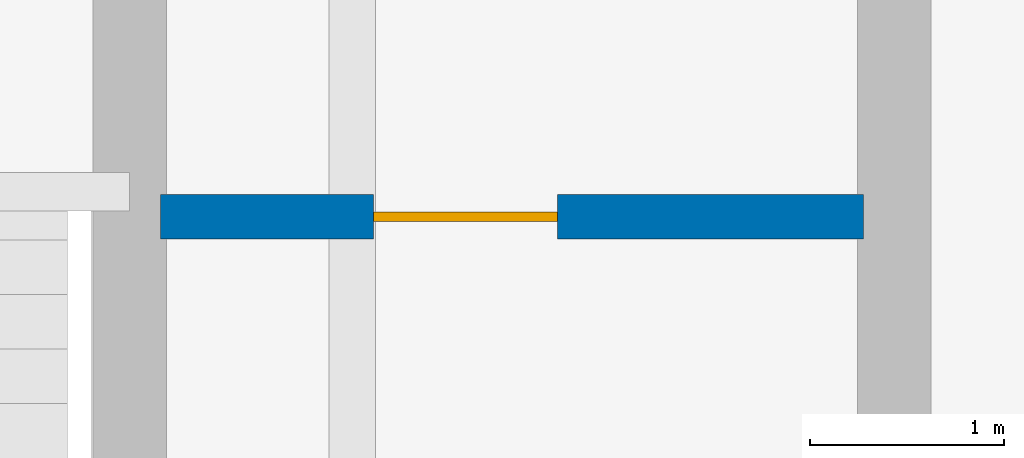
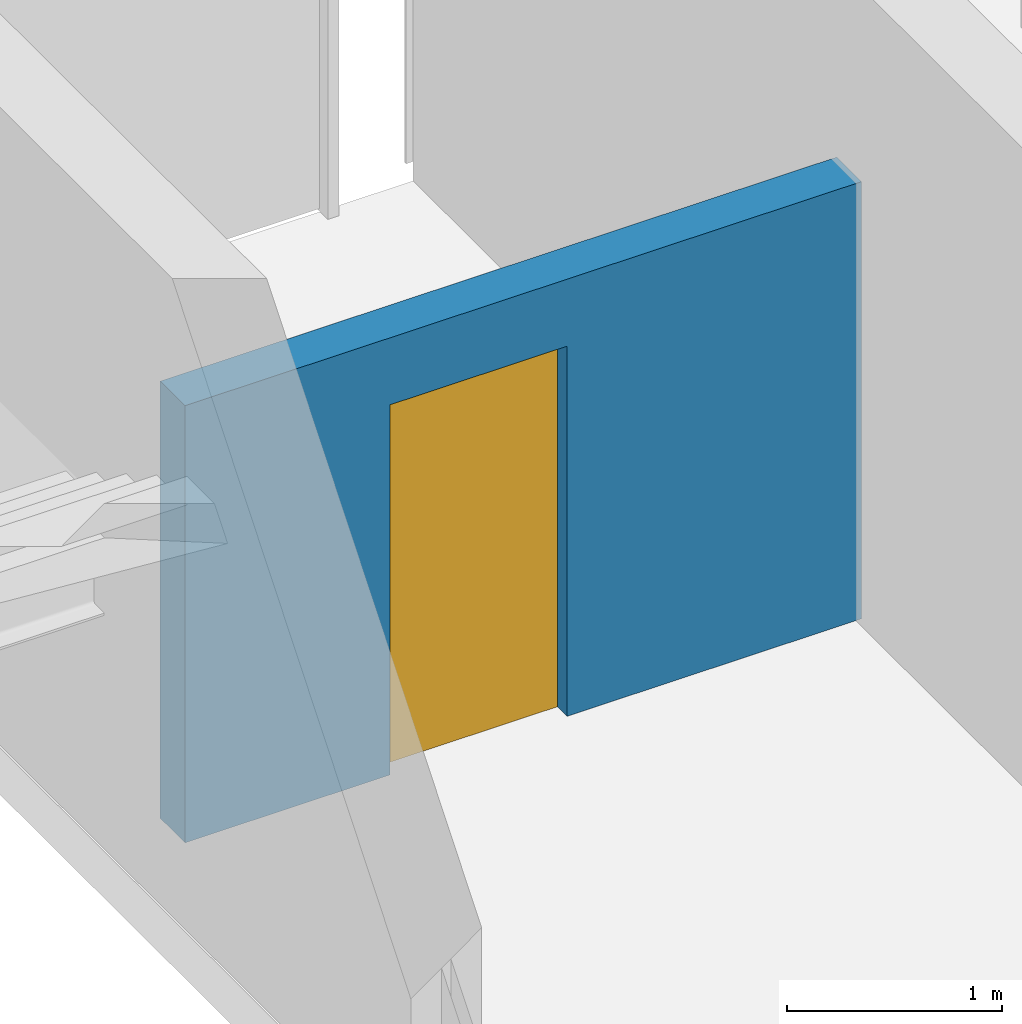
# One storey, part 80 of 123: 1 door, 1 wall, 1 opening.
"""IFC4 building model written with IfcOpenShell, lengths in metres."""

from ifc_helpers import new_model, si_unit, derived_unit, direction, frame, frame_2d, origin, place, context, subcontext, project, spatial, rectangle, extrude, material, layer, layer_set, type_object, element, fill, save


model = new_model("IFC4")

# Units and contexts
model_context = context("Model", 3, precision=1e-05, world=origin(), true_north=direction((0.0, 1.0)))
body_context = subcontext(model_context, "Body", "Model", "MODEL_VIEW")
ifc_project = project(units=[si_unit("LENGTHUNIT", "METRE"), si_unit("AREAUNIT", "SQUARE_METRE"), si_unit("VOLUMEUNIT", "CUBIC_METRE"), si_unit("PLANEANGLEUNIT", "RADIAN"), si_unit("MASSUNIT", "GRAM", prefix="KILO"), si_unit("THERMODYNAMICTEMPERATUREUNIT", "KELVIN"), derived_unit("THERMALTRANSMITTANCEUNIT", [(si_unit("POWERUNIT", "WATT"), 1), (si_unit("AREAUNIT", "SQUARE_METRE"), -1), (si_unit("THERMODYNAMICTEMPERATUREUNIT", "KELVIN"), -1)])], contexts=[model_context])

# Site, building, storey
site_placement = place(None, origin())
site = spatial("IfcSite", under=ifc_project, at=site_placement, CompositionType="ELEMENT")
building_placement = place(site_placement, origin())
building = spatial("IfcBuilding", under=site, at=building_placement, Name="Haiyu Intermodal Mobility Hub", CompositionType="ELEMENT")
storey_placement = place(building_placement, frame((0.0, 0.0, 5.60009765625)))
storey = spatial("IfcBuildingStorey", under=building, at=storey_placement, Name="L01", CompositionType="ELEMENT", Elevation=5.60009765625)

# Wall, opening, door
ifc_material_1 = material(Name="Autoclaved aerated concrete block A5.0", Category="concrete")
ifc_layer = layer(ifc_material_1, 0.22998046875)
ifc_layer_set = layer_set([ifc_layer], Name="Autoclaved aerated concrete block A5.0")
wall_type = type_object("IfcWallType", Name="WAL-WI01", PredefinedType="PARTITIONING", material=ifc_layer_set)
wall_placement = place(storey_placement, frame((26.2099609375, 144.0, 0.0), z_axis=(0.0, 0.0, 1.0), x_axis=(1.0, 0.0, 0.0)))
wall = element("IfcWall", 1, at=wall_placement, inside=storey, type_object=wall_type, Name="WAL-CORE-C3-LFT-L01", PredefinedType="PARTITIONING", context=body_context, shape_type="SweptSolid", body=[
    extrude(rectangle(XDim=3.630126953125, YDim=0.22998046875, at=frame_2d((1.81494140625, 0.0))), origin(), (0.0, 0.0, 1.0), 2.47998046875),
])
opening_placement = place(wall_placement, frame((1.10009765625, 0.0, 0.0)))
opening = element("IfcOpeningElement", 2, at=opening_placement, cuts=wall, Name="Opening DI07", PredefinedType="OPENING", context=body_context, shape_type="SweptSolid", body=[
    extrude(rectangle(XDim=0.949951171875, YDim=2.10009765625, at=frame_2d((0.47509765625, 1.050048828125))), frame((0.0, 0.125, 0.0), z_axis=(0.0, -1.0, 0.0), x_axis=(1.0, 0.0, 0.0)), (0.0, 0.0, 1.0), 0.25),
])
ifc_material_2 = material(Name="Steel Q355C", Category="steel")
door_type = type_object("IfcDoorType", Name="DR-DI07", OperationType="NOTDEFINED", PredefinedType="DOOR", material=ifc_material_2)
door_placement = place(opening_placement, origin())
door = element("IfcDoor", 3, at=door_placement, inside=storey, type_object=door_type, Name="Core C3 Accessible WC Door L01", OperationType="SINGLE_SWING_RIGHT", OverallHeight=2.10009765625, OverallWidth=0.949951171875, PredefinedType="DOOR", context=body_context, shape_type="SweptSolid", body=[
    extrude(rectangle(XDim=0.949951171875, YDim=2.10009765625, at=frame_2d((0.47509765625, 1.050048828125))), frame((0.0, 0.02490234375, 0.0), z_axis=(0.0, -1.0, 0.0), x_axis=(1.0, 0.0, 0.0)), (0.0, 0.0, 1.0), 0.050048828125),
])
fill(opening, door)

save(model, "model.ifc")
